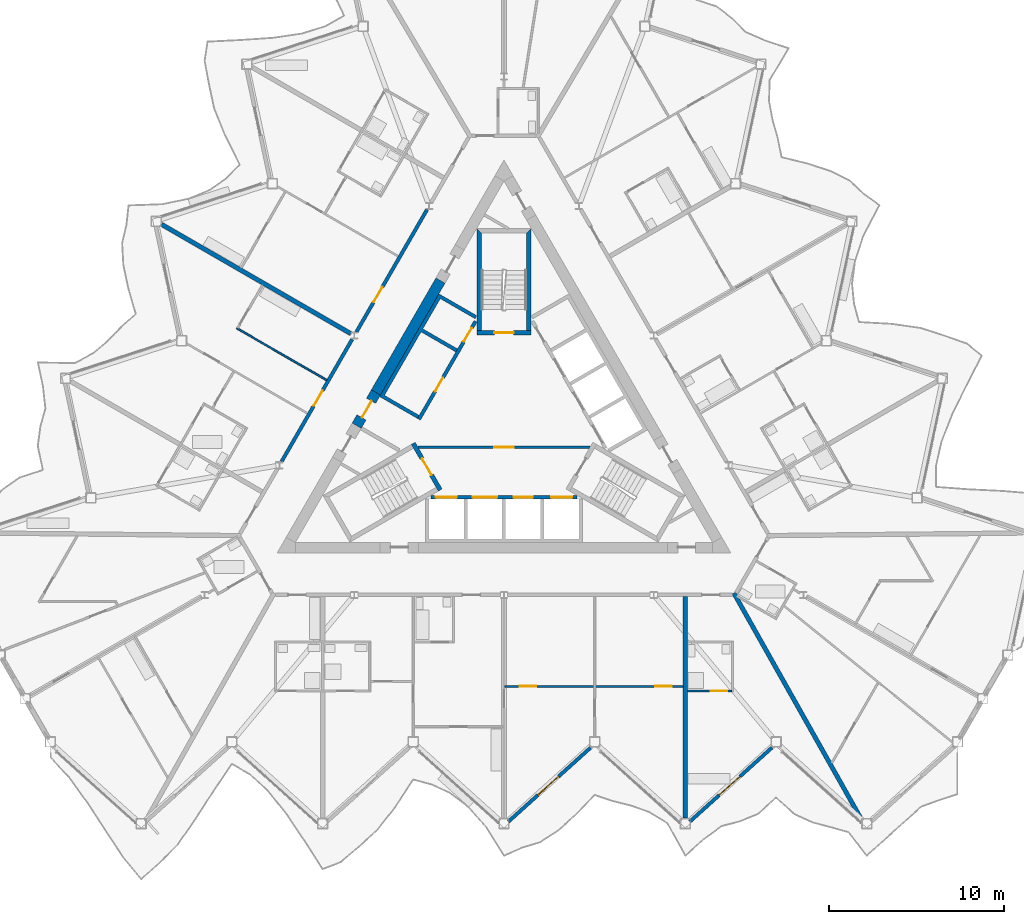
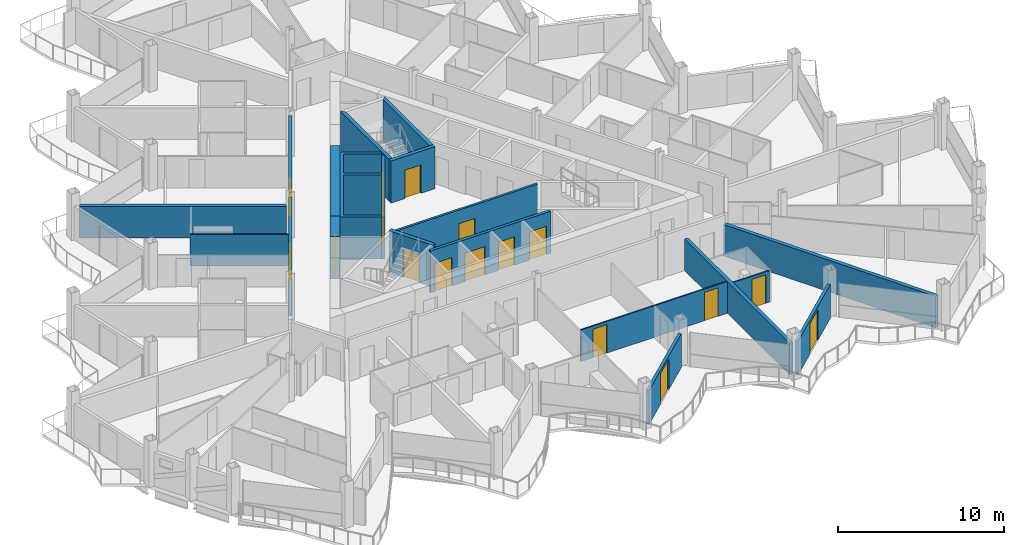
# One storey, part 15 of 27: 20 walls, 17 doors, 17 openings.
"""IFC4 building model written with IfcOpenShell, lengths in metres."""

from ifc_helpers import new_model, si_unit, direction, frame, frame_2d, origin, place, context, subcontext, project, spatial, polyline, rectangle, outline, extrude, material, layer, layer_set, type_object, element, fill, save


model = new_model("IFC4")

# Units and contexts
model_context = context("Model", 3, precision=1e-05, world=origin(), true_north=direction((0.0, 1.0)))
body_context = subcontext(model_context, "Body", "Model", "MODEL_VIEW")
ifc_project = project(units=[si_unit("LENGTHUNIT", "METRE"), si_unit("AREAUNIT", "SQUARE_METRE"), si_unit("VOLUMEUNIT", "CUBIC_METRE"), si_unit("PLANEANGLEUNIT", "RADIAN"), si_unit("MASSUNIT", "GRAM", prefix="KILO")], contexts=[model_context])

# Site, building, storey
site_placement = place(None, origin())
site = spatial("IfcSite", under=ifc_project, at=site_placement, CompositionType="ELEMENT")
building_placement = place(site_placement, origin())
building = spatial("IfcBuilding", under=site, at=building_placement, Name="Cormorant Prow Tower", CompositionType="ELEMENT")
storey_placement = place(building_placement, frame((0.0, 0.0, 335.800048828125)))
storey = spatial("IfcBuildingStorey", under=building, at=storey_placement, Name="L75", CompositionType="ELEMENT", Elevation=335.800048828125)

# Wall, opening, door
ifc_material_1 = material(Name="Gypsum board partition")
ifc_layer_1 = layer(ifc_material_1, 0.14990234375)
ifc_layer_set_1 = layer_set([ifc_layer_1], Name="Gypsum board partition")
wall_type_1 = type_object("IfcWallType", Name="Core partition 150", PredefinedType="PARTITIONING", material=ifc_layer_set_1)
wall_1_placement = place(storey_placement, frame((-4.941162109375, -1.449951171875, 0.0), z_axis=(0.0, 0.0, 1.0), x_axis=(1.0, 0.0, 0.0)))
wall_1 = element("IfcWall", 1, at=wall_1_placement, inside=storey, type_object=wall_type_1, Name="Firefighting lobby partition", PredefinedType="PARTITIONING", context=body_context, shape_type="SweptSolid", body=[
    extrude(rectangle(XDim=9.88232421875, YDim=0.14990234375, at=frame_2d((4.941162109375, 0.0))), origin(), (0.0, 0.0, 1.0), 3.099853515625),
])
opening_1_placement = place(wall_1_placement, frame((4.39111328125, 0.0, 0.0)))
opening_1 = element("IfcOpeningElement", 2, at=opening_1_placement, cuts=wall_1, Name="Opening L75-C11", PredefinedType="OPENING", context=body_context, shape_type="SweptSolid", body=[
    extrude(rectangle(XDim=1.10009765625, YDim=2.10009765625, at=frame_2d((0.550048828125, 1.050048828125))), frame((0.0, 0.0849609375, 0.0), z_axis=(0.0, -1.0, 0.0), x_axis=(1.0, 0.0, 0.0)), (0.0, 0.0, 1.0), 0.169921875),
])
ifc_material_2 = material(Name="Painted steel", Category="steel")
door_type_1 = type_object("IfcDoorType", Name="Firefighting lobby door 1100x2100", OperationType="NOTDEFINED", PredefinedType="DOOR", material=ifc_material_2)
door_1_placement = place(opening_1_placement, origin())
door_1 = element("IfcDoor", 3, at=door_1_placement, inside=storey, type_object=door_type_1, Name="Firefighting lobby door", OperationType="SINGLE_SWING_LEFT", OverallHeight=2.10009765625, OverallWidth=1.10009765625, PredefinedType="DOOR", context=body_context, shape_type="SweptSolid", body=[
    extrude(rectangle(XDim=1.10009765625, YDim=2.10009765625, at=frame_2d((0.550048828125, 1.050048828125))), frame((0.0, 0.02490234375, 0.0), z_axis=(0.0, -1.0, 0.0), x_axis=(1.0, 0.0, 0.0)), (0.0, 0.0, 1.0), 0.050048828125),
])
fill(opening_1, door_1)

# Wall
ifc_material_3 = material(Name="Concrete 8000 psi", Category="concrete")
ifc_layer_2 = layer(ifc_material_3, 0.60009765625)
ifc_layer_set_2 = layer_set([ifc_layer_2], Name="Concrete 8000 psi")
wall_type_2 = type_object("IfcWallType", Name="Core shear wall 600", PredefinedType="SHEAR", material=ifc_layer_set_2)
wall_2_placement = place(storey_placement, frame((-3.639404296875, 8.107421875, 0.0), z_axis=(0.0, 0.0, 1.0), x_axis=(-0.49999180351, -0.866030135978, 0.0)))
element("IfcWall", 4, at=wall_2_placement, inside=storey, type_object=wall_type_2, Name="Core wall", PredefinedType="SHEAR", context=body_context, shape_type="SweptSolid", body=[
    extrude(rectangle(XDim=7.4013671875, YDim=0.60009765625, at=frame_2d((3.70068359375, 0.0))), origin(), (0.0, 0.0, 1.0), 3.099853515625),
])

# Wall, opening, door
wall_3_placement = place(storey_placement, frame((-7.340087890625, 1.697509765625, 0.0), z_axis=(0.0, 0.0, 1.0), x_axis=(-0.50002983664, -0.866008176907, 0.0)))
wall_3 = element("IfcWall", 5, at=wall_3_placement, inside=storey, type_object=wall_type_2, Name="Core wall door panel", PredefinedType="SHEAR", context=body_context, shape_type="SweptSolid", body=[
    extrude(rectangle(XDim=2.199951171875, YDim=0.60009765625, at=frame_2d((1.10009765625, 0.0))), origin(), (0.0, 0.0, 1.0), 3.099853515625),
])
opening_2_placement = place(wall_3_placement, frame((0.550048828125, 0.0, 0.0)))
opening_2 = element("IfcOpeningElement", 6, at=opening_2_placement, cuts=wall_3, Name="Opening L75-C21", PredefinedType="OPENING", context=body_context, shape_type="SweptSolid", body=[
    extrude(rectangle(XDim=1.10009765625, YDim=2.10009765625, at=frame_2d((0.550048828125, 1.050048828125))), frame((0.0, 0.31005859375, 0.0), z_axis=(0.0, -1.0, 0.0), x_axis=(1.0, 0.0, 0.0)), (0.0, 0.0, 1.0), 0.6201171875),
])
ifc_material_4 = material(Name="Painted steel", Category="steel")
door_type_2 = type_object("IfcDoorType", Name="Core door 1100x2100", OperationType="NOTDEFINED", PredefinedType="DOOR", material=ifc_material_4)
door_2_placement = place(opening_2_placement, origin())
door_2 = element("IfcDoor", 7, at=door_2_placement, inside=storey, type_object=door_type_2, Name="Core door, lift lobby", OperationType="SINGLE_SWING_RIGHT", OverallHeight=2.10009765625, OverallWidth=1.10009765625, PredefinedType="DOOR", context=body_context, shape_type="SweptSolid", body=[
    extrude(rectangle(XDim=1.10009765625, YDim=2.10009765625, at=frame_2d((0.550048828125, 1.050048828125))), frame((0.0, 0.05517578125, 0.0), z_axis=(0.0, -1.0, 0.0), x_axis=(1.0, 0.0, 0.0)), (0.0, 0.0, 1.0), 0.050048828125),
])
fill(opening_2, door_2)

ifc_material_5 = material(Name="Gypsum board corridor wall")
ifc_layer_3 = layer(ifc_material_5, 0.199951171875)
ifc_layer_set_3 = layer_set([ifc_layer_3], Name="Gypsum board corridor wall")
wall_type_3 = type_object("IfcWallType", Name="Corridor wall 200", PredefinedType="PARTITIONING", material=ifc_layer_set_3)
wall_4_placement = place(storey_placement, frame((-8.45849609375, 5.160400390625, 0.0), z_axis=(0.0, 0.0, 1.0), x_axis=(0.499984266882, 0.866034487114, 0.0)))
wall_4 = element("IfcWall", 8, at=wall_4_placement, inside=storey, type_object=wall_type_3, Name="Corridor wall", PredefinedType="PARTITIONING", context=body_context, shape_type="SweptSolid", body=[
    extrude(rectangle(XDim=8.098876953125, YDim=0.199951171875, at=frame_2d((4.04931640625, 0.0))), origin(), (0.0, 0.0, 1.0), 3.099853515625),
])
opening_3_placement = place(wall_4_placement, frame((1.975830078125, 0.0, 0.0)))
opening_3 = element("IfcOpeningElement", 9, at=opening_3_placement, cuts=wall_4, Name="Opening L75-F46", PredefinedType="OPENING", context=body_context, shape_type="SweptSolid", body=[
    extrude(rectangle(XDim=1.0, YDim=2.10009765625, at=frame_2d((0.5, 1.050048828125))), frame((0.0, 0.10986328125, 0.0), z_axis=(0.0, -1.0, 0.0), x_axis=(1.0, 0.0, 0.0)), (0.0, 0.0, 1.0), 0.219970703125),
])
ifc_material_6 = material(Name="Timber door leaf", Category="wood")
door_type_3 = type_object("IfcDoorType", Name="Flat or room entrance door 1000x2100", OperationType="NOTDEFINED", PredefinedType="DOOR", material=ifc_material_6)
door_3_placement = place(opening_3_placement, origin())
door_3 = element("IfcDoor", 10, at=door_3_placement, inside=storey, type_object=door_type_3, Name="Living room door", OperationType="SINGLE_SWING_RIGHT", OverallHeight=2.10009765625, OverallWidth=1.0, PredefinedType="DOOR", context=body_context, shape_type="SweptSolid", body=[
    extrude(rectangle(XDim=1.0, YDim=2.10009765625, at=frame_2d((0.5, 1.050048828125))), frame((0.0, 0.02490234375, 0.0), z_axis=(0.0, -1.0, 0.0), x_axis=(1.0, 0.0, 0.0)), (0.0, 0.0, 1.0), 0.050048828125),
])
fill(opening_3, door_3)

wall_5_placement = place(storey_placement, frame((-12.747802734375, -2.268798828125, 0.0), z_axis=(0.0, 0.0, 1.0), x_axis=(0.499984266882, 0.866034487114, 0.0)))
wall_5 = element("IfcWall", 11, at=wall_5_placement, inside=storey, type_object=wall_type_3, Name="Corridor wall", PredefinedType="PARTITIONING", context=body_context, shape_type="SweptSolid", body=[
    extrude(rectangle(XDim=8.098876953125, YDim=0.199951171875, at=frame_2d((4.04931640625, 0.0))), origin(), (0.0, 0.0, 1.0), 3.099853515625),
])
opening_4_placement = place(wall_5_placement, frame((3.70166015625, 0.0, 0.0)))
opening_4 = element("IfcOpeningElement", 12, at=opening_4_placement, cuts=wall_5, Name="Opening L75-F51", PredefinedType="OPENING", context=body_context, shape_type="SweptSolid", body=[
    extrude(rectangle(XDim=1.0, YDim=2.10009765625, at=frame_2d((0.5, 1.050048828125))), frame((0.0, 0.10986328125, 0.0), z_axis=(0.0, -1.0, 0.0), x_axis=(1.0, 0.0, 0.0)), (0.0, 0.0, 1.0), 0.219970703125),
])
door_4_placement = place(opening_4_placement, origin())
door_4 = element("IfcDoor", 13, at=door_4_placement, inside=storey, type_object=door_type_3, Name="Living room door", OperationType="SINGLE_SWING_LEFT", OverallHeight=2.10009765625, OverallWidth=1.0, PredefinedType="DOOR", context=body_context, shape_type="SweptSolid", body=[
    extrude(rectangle(XDim=1.0, YDim=2.10009765625, at=frame_2d((0.5, 1.050048828125))), frame((0.0, 0.02490234375, 0.0), z_axis=(0.0, -1.0, 0.0), x_axis=(1.0, 0.0, 0.0)), (0.0, 0.0, 1.0), 0.050048828125),
])
fill(opening_4, door_4)

# Wall, openings, doors
ifc_material_7 = material(Name="Gypsum board partition")
ifc_layer_4 = layer(ifc_material_7, 0.10009765625)
ifc_layer_set_4 = layer_set([ifc_layer_4], Name="Gypsum board partition")
wall_type_4 = type_object("IfcWallType", Name="Internal partition 100", PredefinedType="PARTITIONING", material=ifc_layer_set_4)
wall_6_placement = place(storey_placement, frame((0.050048828125, -15.143798828125, 0.0), z_axis=(0.0, 0.0, 1.0), x_axis=(1.0, 0.0, 0.0)))
wall_6 = element("IfcWall", 14, at=wall_6_placement, inside=storey, type_object=wall_type_4, Name="Internal partition", PredefinedType="PARTITIONING", context=body_context, shape_type="SweptSolid", body=[
    extrude(rectangle(XDim=10.217529296875, YDim=0.10009765625, at=frame_2d((5.10888671875, 0.0))), origin(), (0.0, 0.0, 1.0), 2.330078125),
])
opening_5_placement = place(wall_6_placement, frame((0.854736328125, 0.0, 0.0)))
opening_5 = element("IfcOpeningElement", 15, at=opening_5_placement, cuts=wall_6, Name="Opening L75-F09", PredefinedType="OPENING", context=body_context, shape_type="SweptSolid", body=[
    extrude(rectangle(XDim=0.949951171875, YDim=2.10009765625, at=frame_2d((0.47509765625, 1.050048828125))), frame((0.0, 0.06005859375, 0.0), z_axis=(0.0, -1.0, 0.0), x_axis=(1.0, 0.0, 0.0)), (0.0, 0.0, 1.0), 0.1201171875),
])
opening_6_placement = place(wall_6_placement, frame((8.614501953125, 0.0, 0.0)))
opening_6 = element("IfcOpeningElement", 16, at=opening_6_placement, cuts=wall_6, Name="Opening L75-F11", PredefinedType="OPENING", context=body_context, shape_type="SweptSolid", body=[
    extrude(rectangle(XDim=0.949951171875, YDim=2.10009765625, at=frame_2d((0.47509765625, 1.050048828125))), frame((0.0, 0.06005859375, 0.0), z_axis=(0.0, -1.0, 0.0), x_axis=(1.0, 0.0, 0.0)), (0.0, 0.0, 1.0), 0.1201171875),
])
ifc_material_8 = material(Name="Timber door leaf", Category="wood")
door_type_4 = type_object("IfcDoorType", Name="Bathroom door 950x2100", OperationType="NOTDEFINED", PredefinedType="DOOR", material=ifc_material_8)
door_5_placement = place(opening_5_placement, origin())
door_5 = element("IfcDoor", 17, at=door_5_placement, inside=storey, type_object=door_type_4, Name="Bedroom door", OperationType="SINGLE_SWING_LEFT", OverallHeight=2.10009765625, OverallWidth=0.949951171875, PredefinedType="DOOR", context=body_context, shape_type="SweptSolid", body=[
    extrude(rectangle(XDim=0.949951171875, YDim=2.10009765625, at=frame_2d((0.47509765625, 1.050048828125))), frame((0.0, 0.02490234375, 0.0), z_axis=(0.0, -1.0, 0.0), x_axis=(1.0, 0.0, 0.0)), (0.0, 0.0, 1.0), 0.050048828125),
])
fill(opening_5, door_5)
door_6_placement = place(opening_6_placement, origin())
door_6 = element("IfcDoor", 18, at=door_6_placement, inside=storey, type_object=door_type_4, Name="Bedroom door", OperationType="SINGLE_SWING_RIGHT", OverallHeight=2.10009765625, OverallWidth=0.949951171875, PredefinedType="DOOR", context=body_context, shape_type="SweptSolid", body=[
    extrude(rectangle(XDim=0.949951171875, YDim=2.10009765625, at=frame_2d((0.47509765625, 1.050048828125))), frame((0.0, 0.02490234375, 0.0), z_axis=(0.0, -1.0, 0.0), x_axis=(1.0, 0.0, 0.0)), (0.0, 0.0, 1.0), 0.050048828125),
])
fill(opening_6, door_6)

# Wall
wall_7_placement = place(storey_placement, frame((-15.31787109375, 5.379638671875, 0.0), z_axis=(0.0, 0.0, 1.0), x_axis=(0.866035260786, -0.499982926783, 0.0)))
element("IfcWall", 19, at=wall_7_placement, inside=storey, type_object=wall_type_4, Name="Internal partition", PredefinedType="PARTITIONING", context=body_context, shape_type="SweptSolid", body=[
    extrude(rectangle(XDim=5.949951171875, YDim=0.10009765625, at=frame_2d((2.97509765625, 0.0))), origin(), (0.0, 0.0, 1.0), 2.330078125),
])

# Wall, opening, door
wall_8_placement = place(storey_placement, frame((10.517578125, -15.405517578125, 0.0), z_axis=(0.0, 0.0, 1.0), x_axis=(1.0, 0.0, 0.0)))
wall_8 = element("IfcWall", 20, at=wall_8_placement, inside=storey, type_object=wall_type_4, Name="Internal partition", PredefinedType="PARTITIONING", context=body_context, shape_type="SweptSolid", body=[
    extrude(rectangle(XDim=2.52490234375, YDim=0.10009765625, at=frame_2d((1.262451171875, 0.0))), origin(), (0.0, 0.0, 1.0), 2.330078125),
])
opening_7_placement = place(wall_8_placement, frame((1.324951171875, 0.0, 0.0)))
opening_7 = element("IfcOpeningElement", 21, at=opening_7_placement, cuts=wall_8, Name="Opening L75-F14", PredefinedType="OPENING", context=body_context, shape_type="SweptSolid", body=[
    extrude(rectangle(XDim=0.949951171875, YDim=2.10009765625, at=frame_2d((0.47509765625, 1.050048828125))), frame((0.0, 0.06005859375, 0.0), z_axis=(0.0, -1.0, 0.0), x_axis=(1.0, 0.0, 0.0)), (0.0, 0.0, 1.0), 0.1201171875),
])
door_7_placement = place(opening_7_placement, origin())
door_7 = element("IfcDoor", 22, at=door_7_placement, inside=storey, type_object=door_type_4, Name="Studio living, kitchen and sleeping room door", OperationType="SINGLE_SWING_RIGHT", OverallHeight=2.10009765625, OverallWidth=0.949951171875, PredefinedType="DOOR", context=body_context, shape_type="SweptSolid", body=[
    extrude(rectangle(XDim=0.949951171875, YDim=2.10009765625, at=frame_2d((0.47509765625, 1.050048828125))), frame((0.0, 0.02490234375, 0.0), z_axis=(0.0, -1.0, 0.0), x_axis=(1.0, 0.0, 0.0)), (0.0, 0.0, 1.0), 0.050048828125),
])
fill(opening_7, door_7)

# Wall, openings, doors
ifc_material_9 = material(Name="Concrete 5000 psi", Category="concrete")
ifc_layer_5 = layer(ifc_material_9, 0.199951171875)
ifc_layer_set_5 = layer_set([ifc_layer_5], Name="Concrete 5000 psi")
wall_type_5 = type_object("IfcWallType", Name="Lift lobby wall 200", PredefinedType="SOLIDWALL", material=ifc_layer_set_5)
wall_9_placement = place(storey_placement, frame((-4.1865234375, -4.300048828125, 0.0), z_axis=(0.0, 0.0, 1.0), x_axis=(1.0, 0.0, 0.0)))
wall_9 = element("IfcWall", 23, at=wall_9_placement, inside=storey, type_object=wall_type_5, Name="Lift lobby wall, S block", PredefinedType="SOLIDWALL", context=body_context, shape_type="SweptSolid", body=[
    extrude(rectangle(XDim=8.373046875, YDim=0.199951171875, at=frame_2d((4.1865234375, 0.0))), origin(), (0.0, 0.0, 1.0), 3.099853515625),
])
opening_8_placement = place(wall_9_placement, frame((0.28662109375, 0.0, 0.0)))
opening_8 = element("IfcOpeningElement", 24, at=opening_8_placement, cuts=wall_9, Name="Opening L75-C01", PredefinedType="OPENING", context=body_context, shape_type="SweptSolid", body=[
    extrude(rectangle(XDim=1.199951171875, YDim=2.10009765625, at=frame_2d((0.60009765625, 1.050048828125))), frame((0.0, 0.10986328125, 0.0), z_axis=(0.0, -1.0, 0.0), x_axis=(1.0, 0.0, 0.0)), (0.0, 0.0, 1.0), 0.219970703125),
])
opening_9_placement = place(wall_9_placement, frame((2.38671875, 0.0, 0.0)))
opening_9 = element("IfcOpeningElement", 25, at=opening_9_placement, cuts=wall_9, Name="Opening L75-C02", PredefinedType="OPENING", context=body_context, shape_type="SweptSolid", body=[
    extrude(rectangle(XDim=1.39990234375, YDim=2.10009765625, at=frame_2d((0.699951171875, 1.050048828125))), frame((0.0, 0.10986328125, 0.0), z_axis=(0.0, -1.0, 0.0), x_axis=(1.0, 0.0, 0.0)), (0.0, 0.0, 1.0), 0.219970703125),
])
opening_10_placement = place(wall_9_placement, frame((4.736572265625, 0.0, 0.0)))
opening_10 = element("IfcOpeningElement", 26, at=opening_10_placement, cuts=wall_9, Name="Opening L75-C03", PredefinedType="OPENING", context=body_context, shape_type="SweptSolid", body=[
    extrude(rectangle(XDim=1.10009765625, YDim=2.10009765625, at=frame_2d((0.550048828125, 1.050048828125))), frame((0.0, 0.10986328125, 0.0), z_axis=(0.0, -1.0, 0.0), x_axis=(1.0, 0.0, 0.0)), (0.0, 0.0, 1.0), 0.219970703125),
])
opening_11_placement = place(wall_9_placement, frame((6.88671875, 0.0, 0.0)))
opening_11 = element("IfcOpeningElement", 27, at=opening_11_placement, cuts=wall_9, Name="Opening L75-C04", PredefinedType="OPENING", context=body_context, shape_type="SweptSolid", body=[
    extrude(rectangle(XDim=1.199951171875, YDim=2.10009765625, at=frame_2d((0.60009765625, 1.050048828125))), frame((0.0, 0.10986328125, 0.0), z_axis=(0.0, -1.0, 0.0), x_axis=(1.0, 0.0, 0.0)), (0.0, 0.0, 1.0), 0.219970703125),
])
ifc_material_10 = material(Name="Painted steel", Category="steel")
door_type_5 = type_object("IfcDoorType", Name="Firefighting lift landing door 1200x2100", OperationType="SLIDING_TO_LEFT", PredefinedType="DOOR", material=ifc_material_10)
door_8_placement = place(opening_8_placement, origin())
door_8 = element("IfcDoor", 28, at=door_8_placement, inside=storey, type_object=door_type_5, Name="Landing door FL1", OperationType="SLIDING_TO_LEFT", OverallHeight=2.10009765625, OverallWidth=1.199951171875, PredefinedType="DOOR", context=body_context, shape_type="SweptSolid", body=[
    extrude(rectangle(XDim=1.199951171875, YDim=2.10009765625, at=frame_2d((0.60009765625, 1.050048828125))), frame((0.0, 0.02490234375, 0.0), z_axis=(0.0, -1.0, 0.0), x_axis=(1.0, 0.0, 0.0)), (0.0, 0.0, 1.0), 0.050048828125),
])
fill(opening_8, door_8)
door_9_placement = place(opening_11_placement, origin())
door_9 = element("IfcDoor", 29, at=door_9_placement, inside=storey, type_object=door_type_5, Name="Landing door FL2", OperationType="SLIDING_TO_LEFT", OverallHeight=2.10009765625, OverallWidth=1.199951171875, PredefinedType="DOOR", context=body_context, shape_type="SweptSolid", body=[
    extrude(rectangle(XDim=1.199951171875, YDim=2.10009765625, at=frame_2d((0.60009765625, 1.050048828125))), frame((0.0, 0.02490234375, 0.0), z_axis=(0.0, -1.0, 0.0), x_axis=(1.0, 0.0, 0.0)), (0.0, 0.0, 1.0), 0.050048828125),
])
fill(opening_11, door_9)
ifc_material_11 = material(Name="Painted steel", Category="steel")
door_type_6 = type_object("IfcDoorType", Name="Lift landing door 1100x2100", OperationType="SLIDING_TO_LEFT", PredefinedType="DOOR", material=ifc_material_11)
door_10_placement = place(opening_10_placement, origin())
door_10 = element("IfcDoor", 30, at=door_10_placement, inside=storey, type_object=door_type_6, Name="Landing door HR1", OperationType="SLIDING_TO_LEFT", OverallHeight=2.10009765625, OverallWidth=1.10009765625, PredefinedType="DOOR", context=body_context, shape_type="SweptSolid", body=[
    extrude(rectangle(XDim=1.10009765625, YDim=2.10009765625, at=frame_2d((0.550048828125, 1.050048828125))), frame((0.0, 0.02490234375, 0.0), z_axis=(0.0, -1.0, 0.0), x_axis=(1.0, 0.0, 0.0)), (0.0, 0.0, 1.0), 0.050048828125),
])
fill(opening_10, door_10)
ifc_material_12 = material(Name="Painted steel", Category="steel")
door_type_7 = type_object("IfcDoorType", Name="Service lift landing door 1400x2100", OperationType="SLIDING_TO_LEFT", PredefinedType="DOOR", material=ifc_material_12)
door_11_placement = place(opening_9_placement, origin())
door_11 = element("IfcDoor", 31, at=door_11_placement, inside=storey, type_object=door_type_7, Name="Landing door SL1", OperationType="SLIDING_TO_LEFT", OverallHeight=2.10009765625, OverallWidth=1.39990234375, PredefinedType="DOOR", context=body_context, shape_type="SweptSolid", body=[
    extrude(rectangle(XDim=1.39990234375, YDim=2.10009765625, at=frame_2d((0.699951171875, 1.050048828125))), frame((0.0, 0.02490234375, 0.0), z_axis=(0.0, -1.0, 0.0), x_axis=(1.0, 0.0, 0.0)), (0.0, 0.0, 1.0), 0.050048828125),
])
fill(opening_9, door_11)

wall_10_placement = place(storey_placement, frame((-1.630615234375, 5.775634765625, 0.0), z_axis=(0.0, 0.0, 1.0), x_axis=(-0.499992876559, -0.866029516466, 0.0)))
wall_10 = element("IfcWall", 32, at=wall_10_placement, inside=storey, type_object=wall_type_5, Name="Lift lobby wall, WNW block", PredefinedType="SOLIDWALL", context=body_context, shape_type="SweptSolid", body=[
    extrude(rectangle(XDim=6.486328125, YDim=0.199951171875, at=frame_2d((3.2431640625, 0.0))), origin(), (0.0, 0.0, 1.0), 3.099853515625),
])
opening_12_placement = place(wall_10_placement, frame((0.4365234375, 0.0, 0.0)))
opening_12 = element("IfcOpeningElement", 33, at=opening_12_placement, cuts=wall_10, Name="Opening L75-C09", PredefinedType="OPENING", context=body_context, shape_type="SweptSolid", body=[
    extrude(rectangle(XDim=0.89990234375, YDim=2.10009765625, at=frame_2d((0.449951171875, 1.050048828125))), frame((0.0, 0.10986328125, 0.0), z_axis=(0.0, -1.0, 0.0), x_axis=(1.0, 0.0, 0.0)), (0.0, 0.0, 1.0), 0.219970703125),
])
opening_13_placement = place(wall_10_placement, frame((3.736572265625, 0.0, 0.0)))
opening_13 = element("IfcOpeningElement", 34, at=opening_13_placement, cuts=wall_10, Name="Opening L75-C10", PredefinedType="OPENING", context=body_context, shape_type="SweptSolid", body=[
    extrude(rectangle(XDim=0.89990234375, YDim=2.10009765625, at=frame_2d((0.449951171875, 1.050048828125))), frame((0.0, 0.10986328125, 0.0), z_axis=(0.0, -1.0, 0.0), x_axis=(1.0, 0.0, 0.0)), (0.0, 0.0, 1.0), 0.219970703125),
])
ifc_material_13 = material(Name="Painted steel", Category="steel")
door_type_8 = type_object("IfcDoorType", Name="Service door 900x2100", OperationType="NOTDEFINED", PredefinedType="DOOR", material=ifc_material_13)
door_12_placement = place(opening_12_placement, origin())
door_12 = element("IfcDoor", 35, at=door_12_placement, inside=storey, type_object=door_type_8, Name="Service door, Telecom room", OperationType="SINGLE_SWING_LEFT", OverallHeight=2.10009765625, OverallWidth=0.89990234375, PredefinedType="DOOR", context=body_context, shape_type="SweptSolid", body=[
    extrude(rectangle(XDim=0.89990234375, YDim=2.10009765625, at=frame_2d((0.449951171875, 1.050048828125))), frame((0.0, 0.02490234375, 0.0), z_axis=(0.0, -1.0, 0.0), x_axis=(1.0, 0.0, 0.0)), (0.0, 0.0, 1.0), 0.050048828125),
])
fill(opening_12, door_12)
door_13_placement = place(opening_13_placement, origin())
door_13 = element("IfcDoor", 36, at=door_13_placement, inside=storey, type_object=door_type_8, Name="Service door, Housekeeping store", OperationType="SINGLE_SWING_LEFT", OverallHeight=2.10009765625, OverallWidth=0.89990234375, PredefinedType="DOOR", context=body_context, shape_type="SweptSolid", body=[
    extrude(rectangle(XDim=0.89990234375, YDim=2.10009765625, at=frame_2d((0.449951171875, 1.050048828125))), frame((0.0, 0.02490234375, 0.0), z_axis=(0.0, -1.0, 0.0), x_axis=(1.0, 0.0, 0.0)), (0.0, 0.0, 1.0), 0.050048828125),
])
fill(opening_13, door_13)

# Wall
ifc_material_14 = material(Name="Concrete 8000 psi", Category="concrete")
ifc_layer_6 = layer(ifc_material_14, 0.199951171875)
ifc_layer_set_6 = layer_set([ifc_layer_6], Name="Concrete 8000 psi")
wall_type_6 = type_object("IfcWallType", Name="Lift shaft wall 200", PredefinedType="SHEAR", material=ifc_layer_set_6)
wall_11_placement = place(storey_placement, origin())
element("IfcWall", 37, at=wall_11_placement, inside=storey, type_object=wall_type_6, Name="Lift shaft walls, WNW block", PredefinedType="SHEAR", context=body_context, shape_type="SweptSolid", body=[
    extrude(outline(polyline([(-4.96044921875, 0.2080078125), (-7.130859375, 1.461181640625), (-3.730712890625, 7.35009765625), (-1.560546875, 6.09716796875), (-1.660400390625, 5.923828125), (-3.65234375, 7.073974609375), (-4.65234375, 5.341796875), (-2.660400390625, 4.19189453125), (-2.760498046875, 4.018798828125), (-4.75244140625, 5.168701171875), (-6.852294921875, 1.53125), (-4.860595703125, 0.38134765625), (-4.96044921875, 0.2080078125)])), origin(), (0.0, 0.0, 1.0), 3.099853515625),
])

# Wall, opening, door
ifc_material_15 = material(Name="Concrete 8000 psi", Category="concrete")
ifc_layer_7 = layer(ifc_material_15, 0.25)
ifc_layer_set_7 = layer_set([ifc_layer_7], Name="Concrete 8000 psi")
wall_type_7 = type_object("IfcWallType", Name="Stair wall 250", PredefinedType="SHEAR", material=ifc_layer_set_7)
wall_12_placement = place(storey_placement, frame((-5.198974609375, -1.21875, 0.0), z_axis=(0.0, 0.0, 1.0), x_axis=(0.499982516597, -0.866035497597, 0.0)))
wall_12 = element("IfcWall", 38, at=wall_12_placement, inside=storey, type_object=wall_type_7, Name="Stair ST1 door wall", PredefinedType="SHEAR", context=body_context, shape_type="SweptSolid", body=[
    extrude(rectangle(XDim=3.087890625, YDim=0.25, at=frame_2d((1.5439453125, 0.0))), origin(), (0.0, 0.0, 1.0), 3.099853515625),
])
opening_14_placement = place(wall_12_placement, frame((0.993896484375, 0.0, 0.0)))
opening_14 = element("IfcOpeningElement", 39, at=opening_14_placement, cuts=wall_12, Name="Opening L75-C12", PredefinedType="OPENING", context=body_context, shape_type="SweptSolid", body=[
    extrude(rectangle(XDim=1.10009765625, YDim=2.10009765625, at=frame_2d((0.550048828125, 1.050048828125))), frame((0.0, 0.135009765625, 0.0), z_axis=(0.0, -1.0, 0.0), x_axis=(1.0, 0.0, 0.0)), (0.0, 0.0, 1.0), 0.27001953125),
])
ifc_material_16 = material(Name="Painted steel", Category="steel")
door_type_9 = type_object("IfcDoorType", Name="Stair door 1100x2100", OperationType="NOTDEFINED", PredefinedType="DOOR", material=ifc_material_16)
door_14_placement = place(opening_14_placement, origin())
door_14 = element("IfcDoor", 40, at=door_14_placement, inside=storey, type_object=door_type_9, Name="Stair ST1 door", OperationType="SINGLE_SWING_LEFT", OverallHeight=2.10009765625, OverallWidth=1.10009765625, PredefinedType="DOOR", context=body_context, shape_type="SweptSolid", body=[
    extrude(rectangle(XDim=1.10009765625, YDim=2.10009765625, at=frame_2d((0.550048828125, 1.050048828125))), frame((0.0, 0.02490234375, 0.0), z_axis=(0.0, -1.0, 0.0), x_axis=(1.0, 0.0, 0.0)), (0.0, 0.0, 1.0), 0.050048828125),
])
fill(opening_14, door_14)

# Walls
wall_13_placement = place(storey_placement, origin())
element("IfcWall", 41, at=wall_13_placement, inside=storey, type_object=wall_type_7, Name="Stair ST3 enclosure wall (flank)", PredefinedType="SHEAR", context=body_context, shape_type="SweptSolid", body=[
    extrude(outline(polyline([(1.5439453125, 5.23681640625), (1.5439453125, 11.0869140625), (1.2939453125, 10.8369140625), (1.2939453125, 5.23681640625), (1.5439453125, 5.23681640625)])), origin(), (0.0, 0.0, 1.0), 3.099853515625),
])
wall_14_placement = place(storey_placement, origin())
element("IfcWall", 42, at=wall_14_placement, inside=storey, type_object=wall_type_7, Name="Stair ST3 enclosure wall (flank)", PredefinedType="SHEAR", context=body_context, shape_type="SweptSolid", body=[
    extrude(outline(polyline([(-1.2939453125, 10.8369140625), (-1.5439453125, 11.0869140625), (-1.5439453125, 5.23681640625), (-1.2939453125, 5.23681640625), (-1.2939453125, 10.8369140625)])), origin(), (0.0, 0.0, 1.0), 3.099853515625),
])

# Wall, opening, door
wall_15_placement = place(storey_placement, frame((1.5439453125, 5.11181640625, 0.0), z_axis=(0.0, 0.0, 1.0), x_axis=(-1.0, 0.0, 0.0)))
wall_15 = element("IfcWall", 43, at=wall_15_placement, inside=storey, type_object=wall_type_7, Name="Stair ST3 door wall", PredefinedType="SHEAR", context=body_context, shape_type="SweptSolid", body=[
    extrude(rectangle(XDim=3.087890625, YDim=0.25, at=frame_2d((1.5439453125, 0.0))), origin(), (0.0, 0.0, 1.0), 3.099853515625),
])
opening_15_placement = place(wall_15_placement, frame((0.993896484375, 0.0, 0.0)))
opening_15 = element("IfcOpeningElement", 44, at=opening_15_placement, cuts=wall_15, Name="Opening L75-C14", PredefinedType="OPENING", context=body_context, shape_type="SweptSolid", body=[
    extrude(rectangle(XDim=1.10009765625, YDim=2.10009765625, at=frame_2d((0.550048828125, 1.050048828125))), frame((0.0, 0.135009765625, 0.0), z_axis=(0.0, -1.0, 0.0), x_axis=(1.0, 0.0, 0.0)), (0.0, 0.0, 1.0), 0.27001953125),
])
door_15_placement = place(opening_15_placement, origin())
door_15 = element("IfcDoor", 45, at=door_15_placement, inside=storey, type_object=door_type_9, Name="Stair ST3 door", OperationType="SINGLE_SWING_RIGHT", OverallHeight=2.10009765625, OverallWidth=1.10009765625, PredefinedType="DOOR", context=body_context, shape_type="SweptSolid", body=[
    extrude(rectangle(XDim=1.10009765625, YDim=2.10009765625, at=frame_2d((0.550048828125, 1.050048828125))), frame((0.0, 0.02490234375, 0.0), z_axis=(0.0, -1.0, 0.0), x_axis=(1.0, 0.0, 0.0)), (0.0, 0.0, 1.0), 0.050048828125),
])
fill(opening_15, door_15)

# Walls
ifc_material_17 = material(Name="Acoustic gypsum party wall")
ifc_layer_8 = layer(ifc_material_17, 0.25)
ifc_layer_set_8 = layer_set([ifc_layer_8], Name="Acoustic gypsum party wall")
wall_type_8 = type_object("IfcWallType", Name="Suite party wall 250", PredefinedType="PARTITIONING", material=ifc_layer_set_8)
wall_16_placement = place(storey_placement, frame((13.16943359375, -9.796630859375, 0.0), z_axis=(0.0, 0.0, 1.0), x_axis=(0.4910591841, -0.871126212274, 0.0)))
element("IfcWall", 46, at=wall_16_placement, inside=storey, type_object=wall_type_8, Name="Suite party wall", PredefinedType="PARTITIONING", context=body_context, shape_type="SweptSolid", body=[
    extrude(rectangle(XDim=14.900146484375, YDim=0.25, at=frame_2d((7.4501953125, 0.0))), origin(), (0.0, 0.0, 1.0), 2.330078125),
])
wall_17_placement = place(storey_placement, frame((10.392578125, -22.697998046875, 0.0), z_axis=(0.0, 0.0, 1.0), x_axis=(0.0, 1.0, 0.0)))
element("IfcWall", 47, at=wall_17_placement, inside=storey, type_object=wall_type_8, Name="Suite party wall", PredefinedType="PARTITIONING", context=body_context, shape_type="SweptSolid", body=[
    extrude(rectangle(XDim=12.6923828125, YDim=0.25, at=frame_2d((6.34619140625, 0.0))), origin(), (0.0, 0.0, 1.0), 2.330078125),
])
wall_18_placement = place(storey_placement, frame((-19.615478515625, 11.3251953125, 0.0), z_axis=(0.0, 0.0, 1.0), x_axis=(0.86602139559, -0.500006942333, 0.0)))
element("IfcWall", 48, at=wall_18_placement, inside=storey, type_object=wall_type_8, Name="Suite party wall", PredefinedType="PARTITIONING", context=body_context, shape_type="SweptSolid", body=[
    extrude(rectangle(XDim=12.504638671875, YDim=0.25, at=frame_2d((6.25244140625, 0.0))), origin(), (0.0, 0.0, 1.0), 2.330078125),
])

# Wall, opening, door
ifc_material_18 = material(Name="Terracotta", Category="masonry")
ifc_layer_9 = layer(ifc_material_18, 0.199951171875)
ifc_layer_set_9 = layer_set([ifc_layer_9], Name="Terracotta")
wall_type_9 = type_object("IfcWallType", Name="Terracotta jamb wall 200", PredefinedType="SOLIDWALL", material=ifc_layer_set_9)
wall_19_placement = place(storey_placement, frame((0.255615234375, -22.891845703125, 0.0), z_axis=(0.0, 0.0, 1.0), x_axis=(0.743142393944, 0.66913330684, 0.0)))
wall_19 = element("IfcWall", 49, at=wall_19_placement, inside=storey, type_object=wall_type_9, Name="Terracotta jamb wall S05", PredefinedType="SOLIDWALL", context=body_context, shape_type="SweptSolid", body=[
    extrude(rectangle(XDim=6.320556640625, YDim=0.199951171875, at=frame_2d((3.16015625, 0.0))), origin(), (0.0, 0.0, 1.0), 2.48779296875),
])
opening_16_placement = place(wall_19_placement, frame((2.26220703125, 0.0, 0.0)))
opening_16 = element("IfcOpeningElement", 50, at=opening_16_placement, cuts=wall_19, Name="Opening ED75.03", PredefinedType="OPENING", context=body_context, shape_type="SweptSolid", body=[
    extrude(rectangle(XDim=1.60009765625, YDim=2.25, at=frame_2d((0.800048828125, 1.125))), frame((0.0, 0.10986328125, 0.0), z_axis=(0.0, -1.0, 0.0), x_axis=(1.0, 0.0, 0.0)), (0.0, 0.0, 1.0), 0.219970703125),
])
ifc_material_19 = material(Name="Aluminium 6063-T6", Category="aluminium")
door_type_10 = type_object("IfcDoorType", Name="Balcony door 1600x2250", OperationType="DOUBLE_DOOR_SINGLE_SWING", PredefinedType="DOOR", material=ifc_material_19)
door_16_placement = place(opening_16_placement, origin())
door_16 = element("IfcDoor", 51, at=door_16_placement, inside=storey, type_object=door_type_10, Name="Balcony door S05 ED75.03", OperationType="DOUBLE_DOOR_SINGLE_SWING", OverallHeight=2.25, OverallWidth=1.60009765625, PredefinedType="DOOR", context=body_context, shape_type="SweptSolid", body=[
    extrude(rectangle(XDim=1.60009765625, YDim=2.25, at=frame_2d((0.800048828125, 1.125))), frame((0.0, 0.02490234375, 0.0), z_axis=(0.0, -1.0, 0.0), x_axis=(1.0, 0.0, 0.0)), (0.0, 0.0, 1.0), 0.050048828125),
])
fill(opening_16, door_16)

wall_20_placement = place(storey_placement, frame((10.648193359375, -22.891845703125, 0.0), z_axis=(0.0, 0.0, 1.0), x_axis=(0.743136819733, 0.669139497532, 0.0)))
wall_20 = element("IfcWall", 52, at=wall_20_placement, inside=storey, type_object=wall_type_9, Name="Terracotta jamb wall S07", PredefinedType="SOLIDWALL", context=body_context, shape_type="SweptSolid", body=[
    extrude(rectangle(XDim=6.328125, YDim=0.199951171875, at=frame_2d((3.1640625, 0.0))), origin(), (0.0, 0.0, 1.0), 2.48779296875),
])
opening_17_placement = place(wall_20_placement, frame((2.26220703125, 0.0, 0.0)))
opening_17 = element("IfcOpeningElement", 53, at=opening_17_placement, cuts=wall_20, Name="Opening ED75.04", PredefinedType="OPENING", context=body_context, shape_type="SweptSolid", body=[
    extrude(rectangle(XDim=1.60009765625, YDim=2.25, at=frame_2d((0.800048828125, 1.125))), frame((0.0, 0.10986328125, 0.0), z_axis=(0.0, -1.0, 0.0), x_axis=(1.0, 0.0, 0.0)), (0.0, 0.0, 1.0), 0.219970703125),
])
door_17_placement = place(opening_17_placement, origin())
door_17 = element("IfcDoor", 54, at=door_17_placement, inside=storey, type_object=door_type_10, Name="Balcony door S07 ED75.04", OperationType="DOUBLE_DOOR_SINGLE_SWING", OverallHeight=2.25, OverallWidth=1.60009765625, PredefinedType="DOOR", context=body_context, shape_type="SweptSolid", body=[
    extrude(rectangle(XDim=1.60009765625, YDim=2.25, at=frame_2d((0.800048828125, 1.125))), frame((0.0, 0.02490234375, 0.0), z_axis=(0.0, -1.0, 0.0), x_axis=(1.0, 0.0, 0.0)), (0.0, 0.0, 1.0), 0.050048828125),
])
fill(opening_17, door_17)

save(model, "model.ifc")
